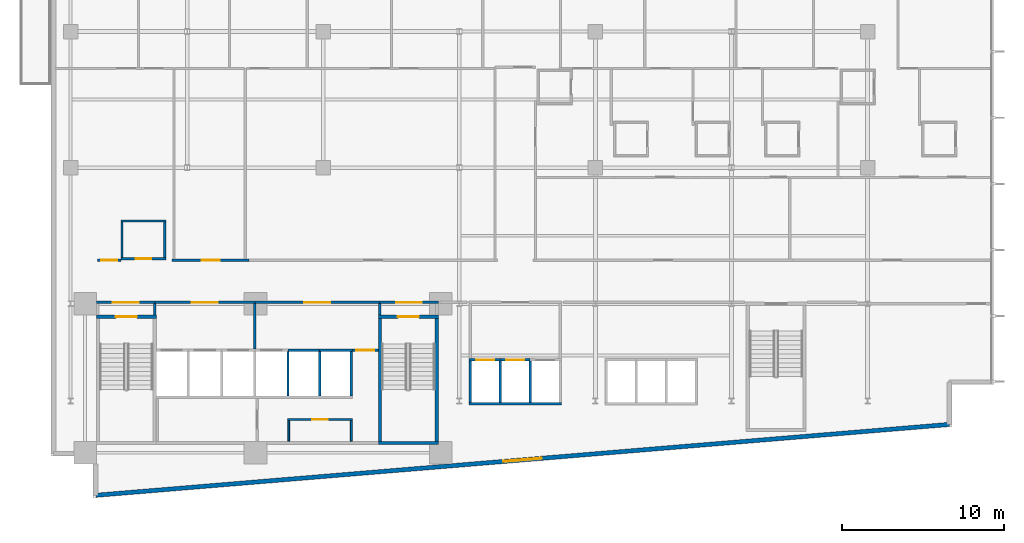
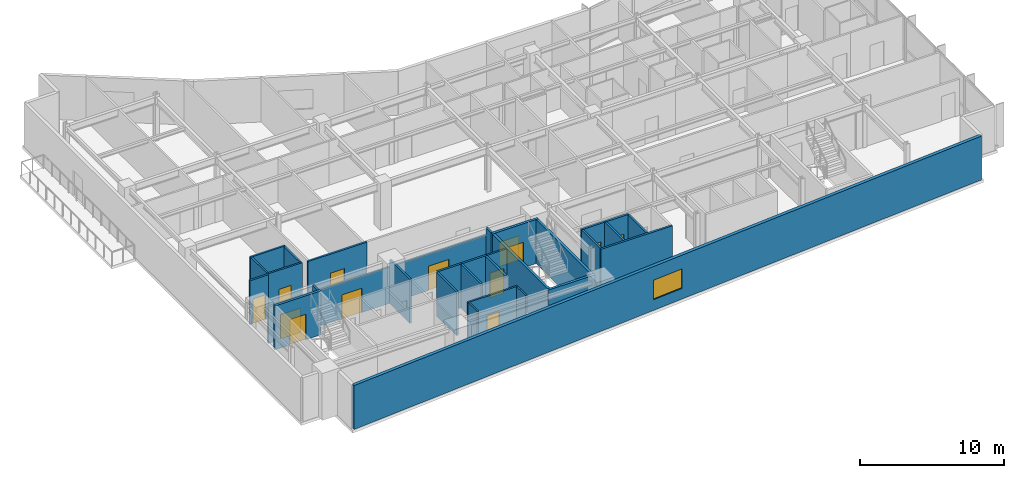
# One storey, part 13 of 22: 34 walls, 13 doors, 1 window, 14 openings.
"""IFC4 building model written with IfcOpenShell, lengths in metres."""

from ifc_helpers import new_model, si_unit, direction, frame, frame_2d, origin, place, context, subcontext, project, spatial, rectangle, extrude, material, layer, layer_set, type_object, element, fill, save


model = new_model("IFC4")

# Units and contexts
model_context = context("Model", 3, precision=1e-05, world=origin(), true_north=direction((0.0, 1.0)))
body_context = subcontext(model_context, "Body", "Model", "MODEL_VIEW")
ifc_project = project(units=[si_unit("LENGTHUNIT", "METRE"), si_unit("AREAUNIT", "SQUARE_METRE"), si_unit("VOLUMEUNIT", "CUBIC_METRE"), si_unit("PLANEANGLEUNIT", "RADIAN"), si_unit("MASSUNIT", "GRAM", prefix="KILO")], contexts=[model_context])

# Site, building, storey
site_placement = place(None, origin())
site = spatial("IfcSite", under=ifc_project, at=site_placement, CompositionType="ELEMENT")
building_placement = place(site_placement, origin())
building = spatial("IfcBuilding", under=site, at=building_placement, Name="Varnakote Quay Hospital", CompositionType="ELEMENT")
storey_placement = place(building_placement, frame((0.0, 0.0, 62.0)))
storey = spatial("IfcBuildingStorey", under=building, at=storey_placement, Name="L15", CompositionType="ELEMENT", Elevation=62.0)

# Wall, opening, door
ifc_material_1 = material(Name="Fire-rated acoustic gypsum stud wall", Category="gypsum")
ifc_layer_1 = layer(ifc_material_1, 0.159912109375)
ifc_layer_set_1 = layer_set([ifc_layer_1], Name="Fire-rated acoustic gypsum stud wall")
wall_type_1 = type_object("IfcWallType", Name="WL-COMP-160", PredefinedType="PARTITIONING", material=ifc_layer_set_1)
wall_1_placement = place(storey_placement, frame((2.800048828125, 12.080078125, 0.0), z_axis=(0.0, 0.0, 1.0), x_axis=(1.0, 0.0, 0.0)))
wall_1 = element("IfcWall", 1, at=wall_1_placement, inside=storey, type_object=wall_type_1, Name="L15 West Stair Vestibule Smoke Wall", PredefinedType="PARTITIONING", context=body_context, shape_type="SweptSolid", body=[
    extrude(rectangle(XDim=3.599853515625, YDim=0.159912109375, at=frame_2d((1.7998046875, 0.0))), origin(), (0.0, 0.0, 1.0), 3.072998046875),
])
opening_1_placement = place(wall_1_placement, frame((1.0, 0.0, 0.0)))
opening_1 = element("IfcOpeningElement", 2, at=opening_1_placement, cuts=wall_1, Name="Opening D-ST1L-L15", PredefinedType="OPENING", context=body_context, shape_type="SweptSolid", body=[
    extrude(rectangle(XDim=1.60009765625, YDim=2.050048828125, at=frame_2d((0.800048828125, 1.02490234375))), frame((0.0, 0.08984375, 0.0), z_axis=(0.0, -1.0, 0.0), x_axis=(1.0, 0.0, 0.0)), (0.0, 0.0, 1.0), 0.179931640625),
])
ifc_material_2 = material(Name="Fire-rated double smoke lobby door")
door_type_1 = type_object("IfcDoorType", Name="DR-LOBBY-FD60S-1600x2150", OperationType="NOTDEFINED", PredefinedType="DOOR", material=ifc_material_2)
door_1_placement = place(opening_1_placement, origin())
door_1 = element("IfcDoor", 3, at=door_1_placement, inside=storey, type_object=door_type_1, Name="L15 West Stair Vestibule Smoke Door", OperationType="DOUBLE_DOOR_SINGLE_SWING", OverallHeight=2.050048828125, OverallWidth=1.60009765625, PredefinedType="DOOR", context=body_context, shape_type="SweptSolid", body=[
    extrude(rectangle(XDim=1.60009765625, YDim=2.050048828125, at=frame_2d((0.800048828125, 1.02490234375))), frame((0.0, 0.02490234375, 0.0), z_axis=(0.0, -1.0, 0.0), x_axis=(1.0, 0.0, 0.0)), (0.0, 0.0, 1.0), 0.050048828125),
])
fill(opening_1, door_1)

# Wall
wall_2_placement = place(storey_placement, frame((6.39990234375, 11.300048828125, 0.0), z_axis=(0.0, 0.0, 1.0), x_axis=(0.0, 1.0, 0.0)))
element("IfcWall", 4, at=wall_2_placement, inside=storey, type_object=wall_type_1, Name="L15 Firefighting Lobby West Wall", PredefinedType="PARTITIONING", context=body_context, shape_type="SweptSolid", body=[
    extrude(rectangle(XDim=0.699951171875, YDim=0.159912109375, at=frame_2d((0.35009765625, 0.0))), origin(), (0.0, 0.0, 1.0), 3.7099609375),
])

# Wall, opening, door
wall_3_placement = place(storey_placement, frame((6.39990234375, 12.080078125, 0.0), z_axis=(0.0, 0.0, 1.0), x_axis=(1.0, 0.0, 0.0)))
wall_3 = element("IfcWall", 5, at=wall_3_placement, inside=storey, type_object=wall_type_1, Name="L15 Firefighting Lift Lobby Compartment Wall", PredefinedType="PARTITIONING", context=body_context, shape_type="SweptSolid", body=[
    extrude(rectangle(XDim=6.18017578125, YDim=0.159912109375, at=frame_2d((3.090087890625, 0.0))), origin(), (0.0, 0.0, 1.0), 3.072998046875),
])
opening_2_placement = place(wall_3_placement, frame((2.2900390625, 0.0, 0.0)))
opening_2 = element("IfcOpeningElement", 6, at=opening_2_placement, cuts=wall_3, Name="Opening D-FFL-L15", PredefinedType="OPENING", context=body_context, shape_type="SweptSolid", body=[
    extrude(rectangle(XDim=1.60009765625, YDim=2.050048828125, at=frame_2d((0.800048828125, 1.02490234375))), frame((0.0, 0.08984375, 0.0), z_axis=(0.0, -1.0, 0.0), x_axis=(1.0, 0.0, 0.0)), (0.0, 0.0, 1.0), 0.179931640625),
])
door_2_placement = place(opening_2_placement, origin())
door_2 = element("IfcDoor", 7, at=door_2_placement, inside=storey, type_object=door_type_1, Name="L15 Firefighting Smoke Vestibule Door", OperationType="DOUBLE_DOOR_SINGLE_SWING", OverallHeight=2.050048828125, OverallWidth=1.60009765625, PredefinedType="DOOR", context=body_context, shape_type="SweptSolid", body=[
    extrude(rectangle(XDim=1.60009765625, YDim=2.050048828125, at=frame_2d((0.800048828125, 1.02490234375))), frame((0.0, 0.02490234375, 0.0), z_axis=(0.0, -1.0, 0.0), x_axis=(1.0, 0.0, 0.0)), (0.0, 0.0, 1.0), 0.050048828125),
])
fill(opening_2, door_2)

# Wall
wall_4_placement = place(storey_placement, frame((12.580078125, 9.2099609375, 0.0), z_axis=(0.0, 0.0, 1.0), x_axis=(0.0, 1.0, 0.0)))
element("IfcWall", 8, at=wall_4_placement, inside=storey, type_object=wall_type_1, Name="L15 Firefighting to Service Lobby Wall", PredefinedType="PARTITIONING", context=body_context, shape_type="SweptSolid", body=[
    extrude(rectangle(XDim=2.7900390625, YDim=0.159912109375, at=frame_2d((1.39501953125, 0.0))), origin(), (0.0, 0.0, 1.0), 3.7099609375),
])

# Wall, opening, door
wall_5_placement = place(storey_placement, frame((12.580078125, 12.080078125, 0.0), z_axis=(0.0, 0.0, 1.0), x_axis=(1.0, 0.0, 0.0)))
wall_5 = element("IfcWall", 9, at=wall_5_placement, inside=storey, type_object=wall_type_1, Name="L15 Clinical Bed Lift Lobby Wall", PredefinedType="PARTITIONING", context=body_context, shape_type="SweptSolid", body=[
    extrude(rectangle(XDim=7.699951171875, YDim=0.159912109375, at=frame_2d((3.85009765625, 0.0))), origin(), (0.0, 0.0, 1.0), 3.072998046875),
])
opening_3_placement = place(wall_5_placement, frame((3.050048828125, 0.0, 0.0)))
opening_3 = element("IfcOpeningElement", 10, at=opening_3_placement, cuts=wall_5, Name="Opening D-SVL-L15", PredefinedType="OPENING", context=body_context, shape_type="SweptSolid", body=[
    extrude(rectangle(XDim=1.60009765625, YDim=2.050048828125, at=frame_2d((0.800048828125, 1.02490234375))), frame((0.0, 0.08984375, 0.0), z_axis=(0.0, -1.0, 0.0), x_axis=(1.0, 0.0, 0.0)), (0.0, 0.0, 1.0), 0.179931640625),
])
door_3_placement = place(opening_3_placement, origin())
door_3 = element("IfcDoor", 11, at=door_3_placement, inside=storey, type_object=door_type_1, Name="L15 Clinical Core Smoke Vestibule Door", OperationType="DOUBLE_DOOR_SINGLE_SWING", OverallHeight=2.050048828125, OverallWidth=1.60009765625, PredefinedType="DOOR", context=body_context, shape_type="SweptSolid", body=[
    extrude(rectangle(XDim=1.60009765625, YDim=2.050048828125, at=frame_2d((0.800048828125, 1.02490234375))), frame((0.0, 0.02490234375, 0.0), z_axis=(0.0, -1.0, 0.0), x_axis=(1.0, 0.0, 0.0)), (0.0, 0.0, 1.0), 0.050048828125),
])
fill(opening_3, door_3)

# Wall
wall_6_placement = place(storey_placement, frame((20.280029296875, 11.300048828125, 0.0), z_axis=(0.0, 0.0, 1.0), x_axis=(0.0, 1.0, 0.0)))
element("IfcWall", 12, at=wall_6_placement, inside=storey, type_object=wall_type_1, Name="L15 East Stair Vestibule Divider Wall", PredefinedType="PARTITIONING", context=body_context, shape_type="SweptSolid", body=[
    extrude(rectangle(XDim=0.699951171875, YDim=0.159912109375, at=frame_2d((0.35009765625, 0.0))), origin(), (0.0, 0.0, 1.0), 3.7099609375),
])

# Wall, opening, door
wall_7_placement = place(storey_placement, frame((20.280029296875, 12.080078125, 0.0), z_axis=(0.0, 0.0, 1.0), x_axis=(1.0, 0.0, 0.0)))
wall_7 = element("IfcWall", 13, at=wall_7_placement, inside=storey, type_object=wall_type_1, Name="L15 East Stair Vestibule Smoke Wall", PredefinedType="PARTITIONING", context=body_context, shape_type="SweptSolid", body=[
    extrude(rectangle(XDim=3.619873046875, YDim=0.159912109375, at=frame_2d((1.81005859375, 0.0))), origin(), (0.0, 0.0, 1.0), 3.072998046875),
])
opening_4_placement = place(wall_7_placement, frame((1.010009765625, 0.0, 0.0)))
opening_4 = element("IfcOpeningElement", 14, at=opening_4_placement, cuts=wall_7, Name="Opening D-ST2L-L15", PredefinedType="OPENING", context=body_context, shape_type="SweptSolid", body=[
    extrude(rectangle(XDim=1.60009765625, YDim=2.050048828125, at=frame_2d((0.800048828125, 1.02490234375))), frame((0.0, 0.08984375, 0.0), z_axis=(0.0, -1.0, 0.0), x_axis=(1.0, 0.0, 0.0)), (0.0, 0.0, 1.0), 0.179931640625),
])
door_4_placement = place(opening_4_placement, origin())
door_4 = element("IfcDoor", 15, at=door_4_placement, inside=storey, type_object=door_type_1, Name="L15 East Stair Vestibule Smoke Door", OperationType="DOUBLE_DOOR_SINGLE_SWING", OverallHeight=2.050048828125, OverallWidth=1.60009765625, PredefinedType="DOOR", context=body_context, shape_type="SweptSolid", body=[
    extrude(rectangle(XDim=1.60009765625, YDim=2.050048828125, at=frame_2d((0.800048828125, 1.02490234375))), frame((0.0, 0.02490234375, 0.0), z_axis=(0.0, -1.0, 0.0), x_axis=(1.0, 0.0, 0.0)), (0.0, 0.0, 1.0), 0.050048828125),
])
fill(opening_4, door_4)

# Wall, opening, window
ifc_material_3 = material(Name="Precast concrete N50 (f'c 50 MPa)", Category="concrete")
ifc_layer_2 = layer(ifc_material_3, 0.260009765625)
ifc_layer_set_2 = layer_set([ifc_layer_2], Name="Precast concrete N50 (f'c 50 MPa)")
wall_type_2 = type_object("IfcWallType", Name="WL-EXT-BRICK-260", PredefinedType="STANDARD", material=ifc_layer_set_2)
wall_8_placement = place(storey_placement, frame((2.760009765625, 0.173828125, 0.0), z_axis=(0.0, 0.0, 1.0), x_axis=(0.996571478456, 0.082736257641, 0.0)))
wall_8 = element("IfcWall", 16, at=wall_8_placement, inside=storey, type_object=wall_type_2, Name="L15 Brick-Faced Precast Exterior Wall", PredefinedType="STANDARD", context=body_context, shape_type="SweptSolid", body=[
    extrude(rectangle(XDim=52.861083984375, YDim=0.260009765625, at=frame_2d((26.4306640625, 0.0))), origin(), (0.0, 0.0, 1.0), 3.7099609375),
])
opening_5_placement = place(wall_8_placement, frame((25.230712890625, 0.0, 0.89990234375)))
opening_5 = element("IfcOpeningElement", 17, at=opening_5_placement, cuts=wall_8, Name="Opening WN-0074", PredefinedType="OPENING", context=body_context, shape_type="SweptSolid", body=[
    extrude(rectangle(XDim=2.39990234375, YDim=1.64990234375, at=frame_2d((1.199951171875, 0.824951171875))), frame((0.0, 0.139892578125, 0.0), z_axis=(0.0, -1.0, 0.0), x_axis=(1.0, 0.0, 0.0)), (0.0, 0.0, 1.0), 0.280029296875),
])
ifc_material_4 = material(Name="Double-glazed low-E solar glass", Category="glass")
window_type = type_object("IfcWindowType", Name="WIN-CLIN-2400x1650", PartitioningType="SINGLE_PANEL", PredefinedType="WINDOW", material=ifc_material_4)
window_placement = place(opening_5_placement, origin())
window = element("IfcWindow", 18, at=window_placement, inside=storey, type_object=window_type, Name="L15 Solar-Control Clinical Window", OverallHeight=1.64990234375, OverallWidth=2.39990234375, PartitioningType="SINGLE_PANEL", PredefinedType="WINDOW", context=body_context, shape_type="SweptSolid", body=[
    extrude(rectangle(XDim=2.39990234375, YDim=1.64990234375, at=frame_2d((1.199951171875, 0.824951171875))), frame((0.0, 0.030029296875, 0.0), z_axis=(0.0, -1.0, 0.0), x_axis=(1.0, 0.0, 0.0)), (0.0, 0.0, 1.0), 0.06005859375),
])
fill(opening_5, window)

# Walls
ifc_material_5 = material(Name="Concrete N50 (f'c 50 MPa)", Category="concrete")
ifc_layer_3 = layer(ifc_material_5, 0.14990234375)
ifc_layer_set_3 = layer_set([ifc_layer_3], Name="Concrete N50 (f'c 50 MPa)")
wall_type_3 = type_object("IfcWallType", Name="WL-SHAFT-N50-150", PredefinedType="SHEAR", material=ifc_layer_set_3)
for number, where, z_axis, x_axis, name in (
    (19, (14.625, 6.300048828125, 0.0), (0.0, 0.0, 1.0), (0.0, 1.0, 0.0), "L15 LF-SV2 Hoistway Divider Wall"),
    (20, (16.574951171875, 6.300048828125, 0.0), (0.0, 0.0, 1.0), (0.0, 1.0, 0.0), "L15 LF-PH1 Hoistway Divider Wall"),
):
    element("IfcWall", number, at=place(storey_placement, frame(where, z_axis=z_axis, x_axis=x_axis)), inside=storey, type_object=wall_type_3, Name=name, PredefinedType="SHEAR", context=body_context, shape_type="SweptSolid", body=[
        extrude(rectangle(XDim=2.75, YDim=0.14990234375, at=frame_2d((1.375, 0.0))), origin(), (0.0, 0.0, 1.0), 3.7099609375),
    ])
for number, where, z_axis, x_axis, name in (
    (21, (27.72509765625, 5.89990234375, 0.0), (0.0, 0.0, 1.0), (0.0, 1.0, 0.0), "L15 LF-PL1 Hoistway Divider Wall"),
    (22, (29.574951171875, 5.89990234375, 0.0), (0.0, 0.0, 1.0), (0.0, 1.0, 0.0), "L15 LF-PL2 Hoistway Divider Wall"),
):
    element("IfcWall", number, at=place(storey_placement, frame(where, z_axis=z_axis, x_axis=x_axis)), inside=storey, type_object=wall_type_3, Name=name, PredefinedType="SHEAR", context=body_context, shape_type="SweptSolid", body=[
        extrude(rectangle(XDim=2.550048828125, YDim=0.14990234375, at=frame_2d((1.27490234375, 0.0))), origin(), (0.0, 0.0, 1.0), 3.7099609375),
    ])
ifc_material_6 = material(Name="Concrete N50 (f'c 50 MPa)", Category="concrete")
ifc_layer_4 = layer(ifc_material_6, 0.159912109375)
ifc_layer_set_4 = layer_set([ifc_layer_4], Name="Concrete N50 (f'c 50 MPa)")
wall_type_4 = type_object("IfcWallType", Name="WL-SHAFT-N50-160", PredefinedType="SHEAR", material=ifc_layer_set_4)
wall_9_placement = place(storey_placement, frame((18.530029296875, 6.300048828125, 0.0), z_axis=(0.0, 0.0, 1.0), x_axis=(0.0, 1.0, 0.0)))
element("IfcWall", 23, at=wall_9_placement, inside=storey, type_object=wall_type_4, Name="L15 REAR Lift Bank East Shear Wall", PredefinedType="SHEAR", context=body_context, shape_type="SweptSolid", body=[
    extrude(rectangle(XDim=2.75, YDim=0.159912109375, at=frame_2d((1.375, 0.0))), origin(), (0.0, 0.0, 1.0), 3.7099609375),
])
wall_10_placement = place(storey_placement, frame((14.625, 9.1298828125, 0.0), z_axis=(0.0, 0.0, 1.0), x_axis=(1.0, 0.0, 0.0)))
element("IfcWall", 24, at=wall_10_placement, inside=storey, type_object=wall_type_4, Name="L15 LF-PH1 Hoistway Front Wall", PredefinedType="SHEAR", context=body_context, shape_type="SweptSolid", body=[
    extrude(rectangle(XDim=1.949951171875, YDim=0.159912109375, at=frame_2d((0.97509765625, 0.0))), origin(), (0.0, 0.0, 1.0), 3.7099609375),
])
wall_11_placement = place(storey_placement, frame((16.574951171875, 9.1298828125, 0.0), z_axis=(0.0, 0.0, 1.0), x_axis=(1.0, 0.0, 0.0)))
element("IfcWall", 25, at=wall_11_placement, inside=storey, type_object=wall_type_4, Name="L15 LF-PH2 Hoistway Front Wall", PredefinedType="SHEAR", context=body_context, shape_type="SweptSolid", body=[
    extrude(rectangle(XDim=2.03515625, YDim=0.159912109375, at=frame_2d((1.017578125, 0.0))), origin(), (0.0, 0.0, 1.0), 3.7099609375),
])
wall_12_placement = place(storey_placement, frame((25.7900390625, 5.820068359375, 0.0), z_axis=(0.0, 0.0, 1.0), x_axis=(1.0, 0.0, 0.0)))
element("IfcWall", 26, at=wall_12_placement, inside=storey, type_object=wall_type_4, Name="L15 LOW Lift Bank Back Shear Wall", PredefinedType="SHEAR", context=body_context, shape_type="SweptSolid", body=[
    extrude(rectangle(XDim=5.719970703125, YDim=0.159912109375, at=frame_2d((2.85986328125, 0.0))), origin(), (0.0, 0.0, 1.0), 3.7099609375),
])
wall_13_placement = place(storey_placement, frame((25.8701171875, 5.89990234375, 0.0), z_axis=(0.0, 0.0, 1.0), x_axis=(0.0, 1.0, 0.0)))
element("IfcWall", 27, at=wall_13_placement, inside=storey, type_object=wall_type_4, Name="L15 LOW Lift Bank West Shear Wall", PredefinedType="SHEAR", context=body_context, shape_type="SweptSolid", body=[
    extrude(rectangle(XDim=2.550048828125, YDim=0.159912109375, at=frame_2d((1.27490234375, 0.0))), origin(), (0.0, 0.0, 1.0), 3.7099609375),
])

# Wall, opening, door
wall_14_placement = place(storey_placement, frame((25.7900390625, 8.530029296875, 0.0), z_axis=(0.0, 0.0, 1.0), x_axis=(1.0, 0.0, 0.0)))
wall_14 = element("IfcWall", 28, at=wall_14_placement, inside=storey, type_object=wall_type_4, Name="L15 LF-PL1 Hoistway Front Wall", PredefinedType="SHEAR", context=body_context, shape_type="SweptSolid", body=[
    extrude(rectangle(XDim=1.93505859375, YDim=0.159912109375, at=frame_2d((0.967529296875, 0.0))), origin(), (0.0, 0.0, 1.0), 3.7099609375),
])
opening_6_placement = place(wall_14_placement, frame((0.4599609375, 0.0, 0.0)))
opening_6 = element("IfcOpeningElement", 29, at=opening_6_placement, cuts=wall_14, Name="Opening LD-PL1-L15", PredefinedType="OPENING", context=body_context, shape_type="SweptSolid", body=[
    extrude(rectangle(XDim=1.10009765625, YDim=2.14990234375, at=frame_2d((0.550048828125, 1.074951171875))), frame((0.0, 0.08984375, 0.0), z_axis=(0.0, -1.0, 0.0), x_axis=(1.0, 0.0, 0.0)), (0.0, 0.0, 1.0), 0.179931640625),
])
ifc_material_7 = material(Name="Brushed bronze lift landing sliding door")
door_type_2 = type_object("IfcDoorType", Name="DR-LIFT-LD-1100x2150", OperationType="NOTDEFINED", PredefinedType="DOOR", material=ifc_material_7)
door_5_placement = place(opening_6_placement, origin())
door_5 = element("IfcDoor", 30, at=door_5_placement, inside=storey, type_object=door_type_2, Name="L15 LF-PL1 Lift Landing Sliding Door", OperationType="SLIDING_TO_LEFT", OverallHeight=2.14990234375, OverallWidth=1.10009765625, PredefinedType="DOOR", context=body_context, shape_type="SweptSolid", body=[
    extrude(rectangle(XDim=1.10009765625, YDim=2.14990234375, at=frame_2d((0.550048828125, 1.074951171875))), frame((0.0, 0.02490234375, 0.0), z_axis=(0.0, -1.0, 0.0), x_axis=(1.0, 0.0, 0.0)), (0.0, 0.0, 1.0), 0.050048828125),
])
fill(opening_6, door_5)

wall_15_placement = place(storey_placement, frame((27.72509765625, 8.530029296875, 0.0), z_axis=(0.0, 0.0, 1.0), x_axis=(1.0, 0.0, 0.0)))
wall_15 = element("IfcWall", 31, at=wall_15_placement, inside=storey, type_object=wall_type_4, Name="L15 LF-PL2 Hoistway Front Wall", PredefinedType="SHEAR", context=body_context, shape_type="SweptSolid", body=[
    extrude(rectangle(XDim=1.849853515625, YDim=0.159912109375, at=frame_2d((0.9248046875, 0.0))), origin(), (0.0, 0.0, 1.0), 3.7099609375),
])
opening_7_placement = place(wall_15_placement, frame((0.375, 0.0, 0.0)))
opening_7 = element("IfcOpeningElement", 32, at=opening_7_placement, cuts=wall_15, Name="Opening LD-PL2-L15", PredefinedType="OPENING", context=body_context, shape_type="SweptSolid", body=[
    extrude(rectangle(XDim=1.10009765625, YDim=2.14990234375, at=frame_2d((0.550048828125, 1.074951171875))), frame((0.0, 0.08984375, 0.0), z_axis=(0.0, -1.0, 0.0), x_axis=(1.0, 0.0, 0.0)), (0.0, 0.0, 1.0), 0.179931640625),
])
door_6_placement = place(opening_7_placement, origin())
door_6 = element("IfcDoor", 33, at=door_6_placement, inside=storey, type_object=door_type_2, Name="L15 LF-PL2 Lift Landing Sliding Door", OperationType="SLIDING_TO_LEFT", OverallHeight=2.14990234375, OverallWidth=1.10009765625, PredefinedType="DOOR", context=body_context, shape_type="SweptSolid", body=[
    extrude(rectangle(XDim=1.10009765625, YDim=2.14990234375, at=frame_2d((0.550048828125, 1.074951171875))), frame((0.0, 0.02490234375, 0.0), z_axis=(0.0, -1.0, 0.0), x_axis=(1.0, 0.0, 0.0)), (0.0, 0.0, 1.0), 0.050048828125),
])
fill(opening_7, door_6)

ifc_material_8 = material(Name="Concrete N50 (f'c 50 MPa)", Category="concrete")
ifc_layer_5 = layer(ifc_material_8, 0.199951171875)
ifc_layer_set_5 = layer_set([ifc_layer_5], Name="Concrete N50 (f'c 50 MPa)")
wall_type_5 = type_object("IfcWallType", Name="WL-SHAFT-N50-200", PredefinedType="SHEAR", material=ifc_layer_set_5)
wall_16_placement = place(storey_placement, frame((2.800048828125, 11.199951171875, 0.0), z_axis=(0.0, 0.0, 1.0), x_axis=(1.0, 0.0, 0.0)))
wall_16 = element("IfcWall", 34, at=wall_16_placement, inside=storey, type_object=wall_type_5, Name="L15 Stair ST1 Exit Wall", PredefinedType="SHEAR", context=body_context, shape_type="SweptSolid", body=[
    extrude(rectangle(XDim=3.699951171875, YDim=0.199951171875, at=frame_2d((1.85009765625, 0.0))), origin(), (0.0, 0.0, 1.0), 3.7099609375),
])
opening_8_placement = place(wall_16_placement, frame((1.199951171875, 0.0, 0.0)))
opening_8 = element("IfcOpeningElement", 35, at=opening_8_placement, cuts=wall_16, Name="Opening D-ST1-L15", PredefinedType="OPENING", context=body_context, shape_type="SweptSolid", body=[
    extrude(rectangle(XDim=1.300048828125, YDim=2.14990234375, at=frame_2d((0.64990234375, 1.074951171875))), frame((0.0, 0.10986328125, 0.0), z_axis=(0.0, -1.0, 0.0), x_axis=(1.0, 0.0, 0.0)), (0.0, 0.0, 1.0), 0.219970703125),
])
ifc_material_9 = material(Name="Fire-rated ceramic-glazed timber exit door", Category="wood")
door_type_3 = type_object("IfcDoorType", Name="DR-STAIR-FD60S-1300x2150", OperationType="NOTDEFINED", PredefinedType="DOOR", material=ifc_material_9)
door_7_placement = place(opening_8_placement, origin())
door_7 = element("IfcDoor", 36, at=door_7_placement, inside=storey, type_object=door_type_3, Name="L15 Stair ST1 Fire Exit Door", OperationType="SINGLE_SWING_RIGHT", OverallHeight=2.14990234375, OverallWidth=1.300048828125, PredefinedType="DOOR", context=body_context, shape_type="SweptSolid", body=[
    extrude(rectangle(XDim=1.300048828125, YDim=2.14990234375, at=frame_2d((0.64990234375, 1.074951171875))), frame((0.0, 0.02490234375, 0.0), z_axis=(0.0, -1.0, 0.0), x_axis=(1.0, 0.0, 0.0)), (0.0, 0.0, 1.0), 0.050048828125),
])
fill(opening_8, door_7)

# Walls
wall_17_placement = place(storey_placement, frame((20.199951171875, 3.39990234375, 0.0), z_axis=(0.0, 0.0, 1.0), x_axis=(1.0, 0.0, 0.0)))
element("IfcWall", 37, at=wall_17_placement, inside=storey, type_object=wall_type_5, Name="L15 Stair ST2 South Shaft Wall", PredefinedType="SHEAR", context=body_context, shape_type="SweptSolid", body=[
    extrude(rectangle(XDim=3.699951171875, YDim=0.199951171875, at=frame_2d((1.85009765625, 0.0))), origin(), (0.0, 0.0, 1.0), 3.7099609375),
])
for number, where, z_axis, x_axis, name in (
    (38, (20.300048828125, 3.5, 0.0), (0.0, 0.0, 1.0), (0.0, 1.0, 0.0), "L15 Stair ST2 West Shaft Wall"),
    (39, (23.800048828125, 3.5, 0.0), (0.0, 0.0, 1.0), (0.0, 1.0, 0.0), "L15 Stair ST2 East Shaft Wall"),
):
    element("IfcWall", number, at=place(storey_placement, frame(where, z_axis=z_axis, x_axis=x_axis)), inside=storey, type_object=wall_type_5, Name=name, PredefinedType="SHEAR", context=body_context, shape_type="SweptSolid", body=[
        extrude(rectangle(XDim=7.60009765625, YDim=0.199951171875, at=frame_2d((3.800048828125, 0.0))), origin(), (0.0, 0.0, 1.0), 3.7099609375),
    ])

# Wall, opening, door
wall_18_placement = place(storey_placement, frame((20.199951171875, 11.199951171875, 0.0), z_axis=(0.0, 0.0, 1.0), x_axis=(1.0, 0.0, 0.0)))
wall_18 = element("IfcWall", 40, at=wall_18_placement, inside=storey, type_object=wall_type_5, Name="L15 Stair ST2 Exit Wall", PredefinedType="SHEAR", context=body_context, shape_type="SweptSolid", body=[
    extrude(rectangle(XDim=3.699951171875, YDim=0.199951171875, at=frame_2d((1.85009765625, 0.0))), origin(), (0.0, 0.0, 1.0), 3.7099609375),
])
opening_9_placement = place(wall_18_placement, frame((1.199951171875, 0.0, 0.0)))
opening_9 = element("IfcOpeningElement", 41, at=opening_9_placement, cuts=wall_18, Name="Opening D-ST2-L15", PredefinedType="OPENING", context=body_context, shape_type="SweptSolid", body=[
    extrude(rectangle(XDim=1.300048828125, YDim=2.14990234375, at=frame_2d((0.64990234375, 1.074951171875))), frame((0.0, 0.10986328125, 0.0), z_axis=(0.0, -1.0, 0.0), x_axis=(1.0, 0.0, 0.0)), (0.0, 0.0, 1.0), 0.219970703125),
])
door_8_placement = place(opening_9_placement, origin())
door_8 = element("IfcDoor", 42, at=door_8_placement, inside=storey, type_object=door_type_3, Name="L15 Stair ST2 Fire Exit Door", OperationType="SINGLE_SWING_LEFT", OverallHeight=2.14990234375, OverallWidth=1.300048828125, PredefinedType="DOOR", context=body_context, shape_type="SweptSolid", body=[
    extrude(rectangle(XDim=1.300048828125, YDim=2.14990234375, at=frame_2d((0.64990234375, 1.074951171875))), frame((0.0, 0.02490234375, 0.0), z_axis=(0.0, -1.0, 0.0), x_axis=(1.0, 0.0, 0.0)), (0.0, 0.0, 1.0), 0.050048828125),
])
fill(opening_9, door_8)

# Walls
ifc_material_10 = material(Name="Smoke-proof clinical partition", Category="gypsum")
ifc_layer_6 = layer(ifc_material_10, 0.1201171875)
ifc_layer_set_6 = layer_set([ifc_layer_6], Name="Smoke-proof clinical partition")
wall_type_6 = type_object("IfcWallType", Name="WL-SMOKE-120", PredefinedType="PARTITIONING", material=ifc_layer_set_6)
for number, where, z_axis, x_axis, name in (
    (43, (14.669921875, 3.52001953125, 0.0), (0.0, 0.0, 1.0), (0.0, 1.0, 0.0), "L15 Core WC West Wall"),
    (44, (18.5400390625, 3.52001953125, 0.0), (0.0, 0.0, 1.0), (0.0, 1.0, 0.0), "L15 Core WC East Wall"),
):
    element("IfcWall", number, at=place(storey_placement, frame(where, z_axis=z_axis, x_axis=x_axis)), inside=storey, type_object=wall_type_6, Name=name, PredefinedType="PARTITIONING", context=body_context, shape_type="SweptSolid", body=[
        extrude(rectangle(XDim=1.260009765625, YDim=0.1201171875, at=frame_2d((0.6298828125, 0.0))), origin(), (0.0, 0.0, 1.0), 3.7099609375),
    ])

# Wall, opening, door
ifc_material_11 = material(Name="Fire-rated clinical gypsum partition", Category="gypsum")
ifc_layer_7 = layer(ifc_material_11, 0.139892578125)
ifc_layer_set_7 = layer_set([ifc_layer_7], Name="Fire-rated clinical gypsum partition")
wall_type_7 = type_object("IfcWallType", Name="WL-WARD-140", PredefinedType="PARTITIONING", material=ifc_layer_set_7)
wall_19_placement = place(storey_placement, frame((14.60009765625, 4.85009765625, 0.0), z_axis=(0.0, 0.0, 1.0), x_axis=(1.0, 0.0, 0.0)))
wall_19 = element("IfcWall", 45, at=wall_19_placement, inside=storey, type_object=wall_type_7, Name="L15 Core Staff Sanitary WC North Wall", PredefinedType="PARTITIONING", context=body_context, shape_type="SweptSolid", body=[
    extrude(rectangle(XDim=4.0, YDim=0.139892578125, at=frame_2d((2.0, 0.0))), origin(), (0.0, 0.0, 1.0), 3.7099609375),
])
opening_10_placement = place(wall_19_placement, frame((1.510009765625, 0.0, 0.0)))
opening_10 = element("IfcOpeningElement", 46, at=opening_10_placement, cuts=wall_19, Name="Opening D-L15-CR02", PredefinedType="OPENING", context=body_context, shape_type="SweptSolid", body=[
    extrude(rectangle(XDim=0.97998046875, YDim=2.10009765625, at=frame_2d((0.489990234375, 1.050048828125))), frame((0.0, 0.079833984375, 0.0), z_axis=(0.0, -1.0, 0.0), x_axis=(1.0, 0.0, 0.0)), (0.0, 0.0, 1.0), 0.159912109375),
])
ifc_material_12 = material(Name="Accessible sanitary compartment door")
door_type_4 = type_object("IfcDoorType", Name="DR-WC-980x2100", OperationType="NOTDEFINED", PredefinedType="DOOR", material=ifc_material_12)
door_9_placement = place(opening_10_placement, origin())
door_9 = element("IfcDoor", 47, at=door_9_placement, inside=storey, type_object=door_type_4, Name="L15 Core Staff Sanitary WC Door", OperationType="SINGLE_SWING_RIGHT", OverallHeight=2.10009765625, OverallWidth=0.97998046875, PredefinedType="DOOR", context=body_context, shape_type="SweptSolid", body=[
    extrude(rectangle(XDim=0.97998046875, YDim=2.10009765625, at=frame_2d((0.489990234375, 1.050048828125))), frame((0.0, 0.02490234375, 0.0), z_axis=(0.0, -1.0, 0.0), x_axis=(1.0, 0.0, 0.0)), (0.0, 0.0, 1.0), 0.050048828125),
])
fill(opening_10, door_9)

wall_20_placement = place(storey_placement, frame((18.610107421875, 9.1298828125, 0.0), z_axis=(0.0, 0.0, 1.0), x_axis=(1.0, 0.0, 0.0)))
wall_20 = element("IfcWall", 48, at=wall_20_placement, inside=storey, type_object=wall_type_7, Name="L15 Core Service Corridor North Door Wall", PredefinedType="PARTITIONING", context=body_context, shape_type="SweptSolid", body=[
    extrude(rectangle(XDim=1.58984375, YDim=0.139892578125, at=frame_2d((0.794921875, 0.0))), origin(), (0.0, 0.0, 1.0), 3.7099609375),
])
opening_11_placement = place(wall_20_placement, frame((0.239990234375, 0.0, 0.0)))
opening_11 = element("IfcOpeningElement", 49, at=opening_11_placement, cuts=wall_20, Name="Opening D-CSRV-L15", PredefinedType="OPENING", context=body_context, shape_type="SweptSolid", body=[
    extrude(rectangle(XDim=1.10009765625, YDim=2.10009765625, at=frame_2d((0.550048828125, 1.050048828125))), frame((0.0, 0.079833984375, 0.0), z_axis=(0.0, -1.0, 0.0), x_axis=(1.0, 0.0, 0.0)), (0.0, 0.0, 1.0), 0.159912109375),
])
ifc_material_13 = material(Name="Acoustic timber clinical consult door", Category="wood")
door_type_5 = type_object("IfcDoorType", Name="DR-CLIN-FD30S-1100x2100", OperationType="NOTDEFINED", PredefinedType="DOOR", material=ifc_material_13)
door_10_placement = place(opening_11_placement, origin())
door_10 = element("IfcDoor", 50, at=door_10_placement, inside=storey, type_object=door_type_5, Name="L15 Core Service Corridor Door", OperationType="SINGLE_SWING_LEFT", OverallHeight=2.10009765625, OverallWidth=1.10009765625, PredefinedType="DOOR", context=body_context, shape_type="SweptSolid", body=[
    extrude(rectangle(XDim=1.10009765625, YDim=2.10009765625, at=frame_2d((0.550048828125, 1.050048828125))), frame((0.0, 0.02490234375, 0.0), z_axis=(0.0, -1.0, 0.0), x_axis=(1.0, 0.0, 0.0)), (0.0, 0.0, 1.0), 0.050048828125),
])
fill(opening_11, door_10)

wall_21_placement = place(storey_placement, frame((4.31005859375, 14.77001953125, 0.0), z_axis=(0.0, 0.0, 1.0), x_axis=(1.0, 0.0, 0.0)))
wall_21 = element("IfcWall", 51, at=wall_21_placement, inside=storey, type_object=wall_type_7, Name="L15 Floor Unisex Accessible WC S Wall", PredefinedType="PARTITIONING", context=body_context, shape_type="SweptSolid", body=[
    extrude(rectangle(XDim=2.780029296875, YDim=0.139892578125, at=frame_2d((1.39013671875, 0.0))), origin(), (0.0, 0.0, 1.0), 3.7099609375),
])
opening_12_placement = place(wall_21_placement, frame((0.89990234375, 0.0, 0.0)))
opening_12 = element("IfcOpeningElement", 52, at=opening_12_placement, cuts=wall_21, Name="Opening D-L15-EW01", PredefinedType="OPENING", context=body_context, shape_type="SweptSolid", body=[
    extrude(rectangle(XDim=0.97998046875, YDim=2.10009765625, at=frame_2d((0.489990234375, 1.050048828125))), frame((0.0, 0.079833984375, 0.0), z_axis=(0.0, -1.0, 0.0), x_axis=(1.0, 0.0, 0.0)), (0.0, 0.0, 1.0), 0.159912109375),
])
door_11_placement = place(opening_12_placement, origin())
door_11 = element("IfcDoor", 53, at=door_11_placement, inside=storey, type_object=door_type_4, Name="L15 Floor Unisex Accessible WC Door", OperationType="SINGLE_SWING_RIGHT", OverallHeight=2.10009765625, OverallWidth=0.97998046875, PredefinedType="DOOR", context=body_context, shape_type="SweptSolid", body=[
    extrude(rectangle(XDim=0.97998046875, YDim=2.10009765625, at=frame_2d((0.489990234375, 1.050048828125))), frame((0.0, 0.02490234375, 0.0), z_axis=(0.0, -1.0, 0.0), x_axis=(1.0, 0.0, 0.0)), (0.0, 0.0, 1.0), 0.050048828125),
])
fill(opening_12, door_11)

# Walls
wall_22_placement = place(storey_placement, frame((4.31005859375, 17.110107421875, 0.0), z_axis=(0.0, 0.0, 1.0), x_axis=(1.0, 0.0, 0.0)))
element("IfcWall", 54, at=wall_22_placement, inside=storey, type_object=wall_type_7, Name="L15 Floor Unisex Accessible WC N Wall", PredefinedType="PARTITIONING", context=body_context, shape_type="SweptSolid", body=[
    extrude(rectangle(XDim=2.780029296875, YDim=0.139892578125, at=frame_2d((1.39013671875, 0.0))), origin(), (0.0, 0.0, 1.0), 3.7099609375),
])
for number, where, z_axis, x_axis, name in (
    (55, (4.3798828125, 14.840087890625, 0.0), (0.0, 0.0, 1.0), (0.0, 1.0, 0.0), "L15 Floor Unisex Accessible WC W Wall"),
    (56, (7.02001953125, 14.840087890625, 0.0), (0.0, 0.0, 1.0), (0.0, 1.0, 0.0), "L15 Floor Unisex Accessible WC E Wall"),
):
    element("IfcWall", number, at=place(storey_placement, frame(where, z_axis=z_axis, x_axis=x_axis)), inside=storey, type_object=wall_type_7, Name=name, PredefinedType="PARTITIONING", context=body_context, shape_type="SweptSolid", body=[
        extrude(rectangle(XDim=2.199951171875, YDim=0.139892578125, at=frame_2d((1.10009765625, 0.0))), origin(), (0.0, 0.0, 1.0), 3.7099609375),
    ])

# Wall, opening, door
ifc_material_14 = material(Name="Fire-rated clinical gypsum partition", Category="gypsum")
ifc_layer_8 = layer(ifc_material_14, 0.14990234375)
ifc_layer_set_8 = layer_set([ifc_layer_8], Name="Fire-rated clinical gypsum partition")
wall_type_8 = type_object("IfcWallType", Name="WL-WARD-150", PredefinedType="PARTITIONING", material=ifc_layer_set_8)
wall_23_placement = place(storey_placement, frame((4.30810546875, 14.679931640625, 0.0), z_axis=(0.0, 0.0, 1.0), x_axis=(-1.0, 0.0, 0.0)))
wall_23 = element("IfcWall", 57, at=wall_23_placement, inside=storey, type_object=wall_type_8, Name="L15 Clinical Interior Partition", PredefinedType="PARTITIONING", context=body_context, shape_type="SweptSolid", body=[
    extrude(rectangle(XDim=1.4580078125, YDim=0.14990234375, at=frame_2d((0.72900390625, 0.0))), origin(), (0.0, 0.0, 1.0), 3.7099609375),
])
opening_13_placement = place(wall_23_placement, frame((0.239013671875, 0.0, 0.0)))
opening_13 = element("IfcOpeningElement", 58, at=opening_13_placement, cuts=wall_23, Name="Opening D-L15-DLNG", PredefinedType="OPENING", context=body_context, shape_type="SweptSolid", body=[
    extrude(rectangle(XDim=0.97998046875, YDim=2.10009765625, at=frame_2d((0.489990234375, 1.050048828125))), frame((0.0, 0.0849609375, 0.0), z_axis=(0.0, -1.0, 0.0), x_axis=(1.0, 0.0, 0.0)), (0.0, 0.0, 1.0), 0.169921875),
])
door_12_placement = place(opening_13_placement, origin())
door_12 = element("IfcDoor", 59, at=door_12_placement, inside=storey, type_object=door_type_4, Name="L15 Waterfront Patient & Family Dayroom Door", OperationType="SINGLE_SWING_RIGHT", OverallHeight=2.10009765625, OverallWidth=0.97998046875, PredefinedType="DOOR", context=body_context, shape_type="SweptSolid", body=[
    extrude(rectangle(XDim=0.97998046875, YDim=2.10009765625, at=frame_2d((0.489990234375, 1.050048828125))), frame((0.0, 0.02490234375, 0.0), z_axis=(0.0, -1.0, 0.0), x_axis=(1.0, 0.0, 0.0)), (0.0, 0.0, 1.0), 0.050048828125),
])
fill(opening_13, door_12)

wall_24_placement = place(storey_placement, frame((12.216064453125, 14.679931640625, 0.0), z_axis=(0.0, 0.0, 1.0), x_axis=(-1.0, 0.0, 0.0)))
wall_24 = element("IfcWall", 60, at=wall_24_placement, inside=storey, type_object=wall_type_8, Name="L15 Clinical Interior Partition", PredefinedType="PARTITIONING", context=body_context, shape_type="SweptSolid", body=[
    extrude(rectangle(XDim=4.741943359375, YDim=0.14990234375, at=frame_2d((2.37109375, 0.0))), origin(), (0.0, 0.0, 1.0), 3.7099609375),
])
opening_14_placement = place(wall_24_placement, frame((1.821044921875, 0.0, 0.0)))
opening_14 = element("IfcOpeningElement", 61, at=opening_14_placement, cuts=wall_24, Name="Opening D-L15-WPNT", PredefinedType="OPENING", context=body_context, shape_type="SweptSolid", body=[
    extrude(rectangle(XDim=1.10009765625, YDim=2.10009765625, at=frame_2d((0.550048828125, 1.050048828125))), frame((0.0, 0.0849609375, 0.0), z_axis=(0.0, -1.0, 0.0), x_axis=(1.0, 0.0, 0.0)), (0.0, 0.0, 1.0), 0.169921875),
])
door_13_placement = place(opening_14_placement, origin())
door_13 = element("IfcDoor", 62, at=door_13_placement, inside=storey, type_object=door_type_5, Name="L15 Ward Clinical Nutrition Pantry Door", OperationType="SINGLE_SWING_LEFT", OverallHeight=2.10009765625, OverallWidth=1.10009765625, PredefinedType="DOOR", context=body_context, shape_type="SweptSolid", body=[
    extrude(rectangle(XDim=1.10009765625, YDim=2.10009765625, at=frame_2d((0.550048828125, 1.050048828125))), frame((0.0, 0.02490234375, 0.0), z_axis=(0.0, -1.0, 0.0), x_axis=(1.0, 0.0, 0.0)), (0.0, 0.0, 1.0), 0.050048828125),
])
fill(opening_14, door_13)

save(model, "model.ifc")
